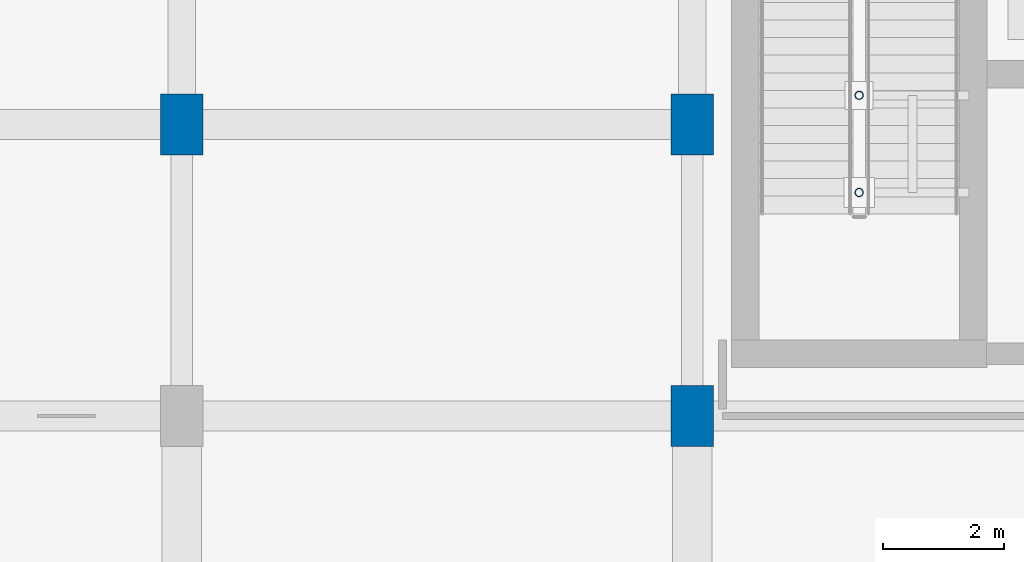
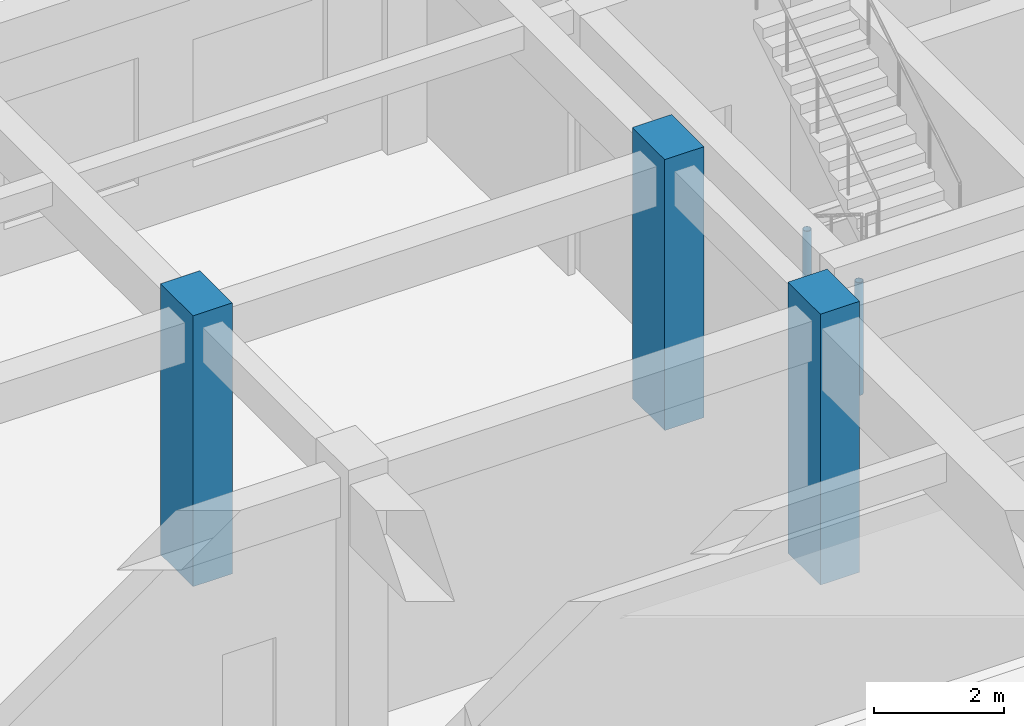
# One storey, part 3 of 80: 5 columns.
"""IFC4 building model written with IfcOpenShell, lengths in metres."""

from ifc_helpers import new_model, si_unit, direction, frame, origin, origin_2d, place, context, subcontext, project, spatial, rectangle, hollow_circle, extrude, material, material_profile, profile_set, type_object, element, save


model = new_model("IFC4")

# Units and contexts
model_context = context("Model", 3, precision=1e-05, world=origin(), true_north=direction((0.0, 1.0)))
body_context = subcontext(model_context, "Body", "Model", "MODEL_VIEW")
ifc_project = project(units=[si_unit("LENGTHUNIT", "METRE"), si_unit("AREAUNIT", "SQUARE_METRE"), si_unit("VOLUMEUNIT", "CUBIC_METRE"), si_unit("PLANEANGLEUNIT", "RADIAN"), si_unit("MASSUNIT", "GRAM", prefix="KILO")], contexts=[model_context])

# Site, building, storey
site_placement = place(None, origin())
site = spatial("IfcSite", under=ifc_project, at=site_placement, CompositionType="ELEMENT")
building_placement = place(site_placement, origin())
building = spatial("IfcBuilding", under=site, at=building_placement, Name="Krzemoval Escarpment Law Courts", CompositionType="ELEMENT")
storey_placement = place(building_placement, origin())
storey = spatial("IfcBuildingStorey", under=building, at=storey_placement, Name="L00", CompositionType="ELEMENT", Elevation=0.0)

# Columns
ifc_material_1 = material(Name="Concrete C50/60", Category="concrete")
ifc_material_profile_1 = material_profile(ifc_material_1, rectangle(XDim=0.699951171875, YDim=1.0, at=origin_2d()), Name="RC 700x1000")
ifc_profile_set_1 = profile_set([ifc_material_profile_1], Name="Concrete C50/60")
column_type_1 = type_object("IfcColumnType", Name="COL-RC-700x1000", PredefinedType="COLUMN", material=ifc_profile_set_1)
for number, where, z_axis, x_axis, name in (
    (1, (50.39990234375, 27.0, 0.0), (0.0, 0.0, 1.0), (1.0, 0.0, 0.0), "Column FC-L00-0369"),
    (2, (58.800048828125, 22.199951171875, 0.0), (0.0, 0.0, 1.0), (1.0, 0.0, 0.0), "Column FC-L00-0376"),
    (3, (58.800048828125, 27.0, 0.0), (0.0, 0.0, 1.0), (1.0, 0.0, 0.0), "Column FC-L00-0377"),
):
    element("IfcColumn", number, at=place(storey_placement, frame(where, z_axis=z_axis, x_axis=x_axis)), inside=storey, type_object=column_type_1, Name=name, PredefinedType="COLUMN", context=body_context, shape_type="SweptSolid", body=[
        extrude(rectangle(XDim=0.699951171875, YDim=1.0, at=origin_2d()), origin(), (0.0, 0.0, 1.0), 5.10009765625),
    ])
ifc_material_2 = material(Name="Steel S355", Category="steel")
ifc_material_profile_2 = material_profile(ifc_material_2, hollow_circle(Radius=0.06982421875, WallThickness=0.008056640625, at=origin_2d()), Name="CHS 139.7x8")
ifc_profile_set_2 = profile_set([ifc_material_profile_2], Name="Steel S355")
column_type_2 = type_object("IfcColumnType", Name="COL-S355-CHS140", PredefinedType="COLUMN", material=ifc_profile_set_2)
for number, where, z_axis, x_axis, name in (
    (4, (61.550048828125, 25.8798828125, 0.0), (0.0, 0.0, 1.0), (1.0, 0.0, 0.0), "Stair Well Post SCP-C4-L00-1"),
    (5, (61.550048828125, 27.47998046875, 0.0), (0.0, 0.0, 1.0), (1.0, 0.0, 0.0), "Stair Well Post SCP-C4-L00-2"),
):
    element("IfcColumn", number, at=place(storey_placement, frame(where, z_axis=z_axis, x_axis=x_axis)), inside=storey, type_object=column_type_2, Name=name, PredefinedType="COLUMN", context=body_context, shape_type="SweptSolid", body=[
        extrude(hollow_circle(Radius=0.06982421875, WallThickness=0.008056640625, at=origin_2d()), origin(), (0.0, 0.0, 1.0), 2.1201171875),
    ])

save(model, "model.ifc")
